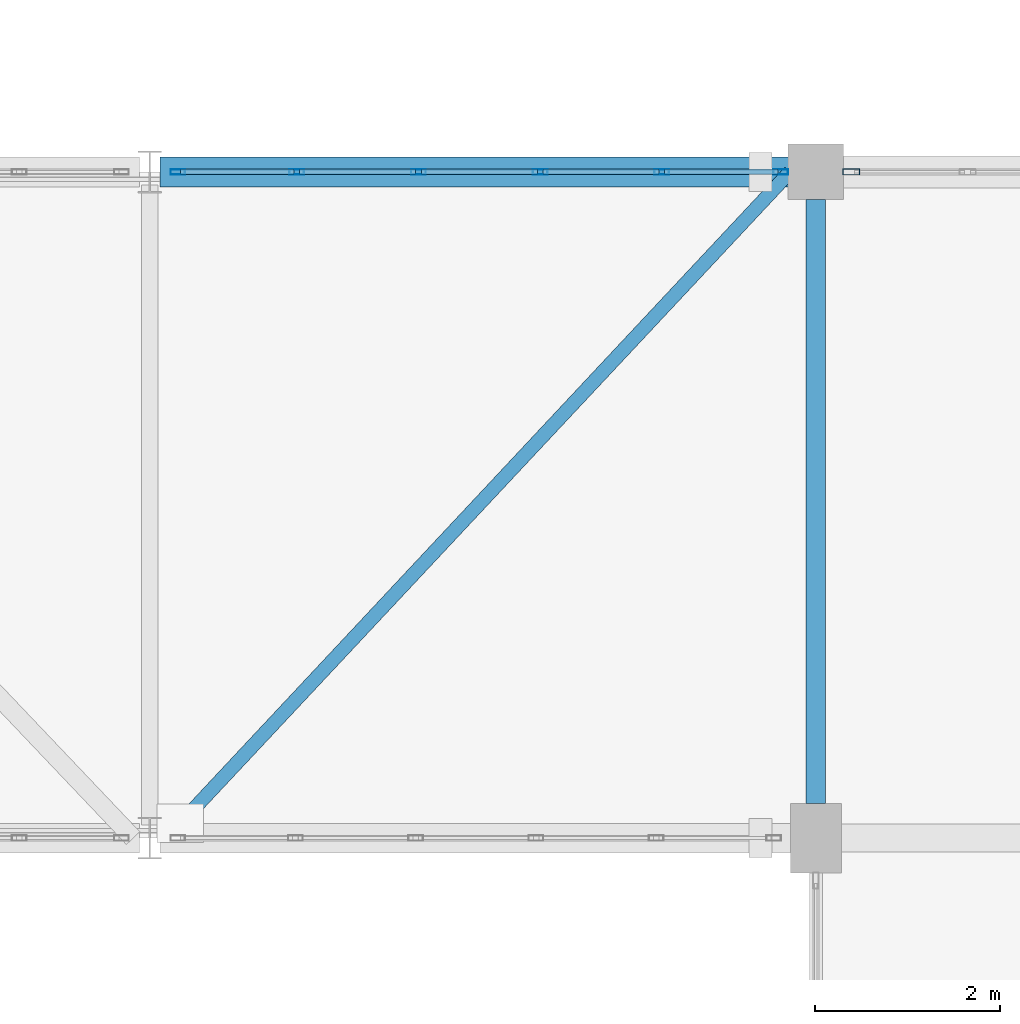
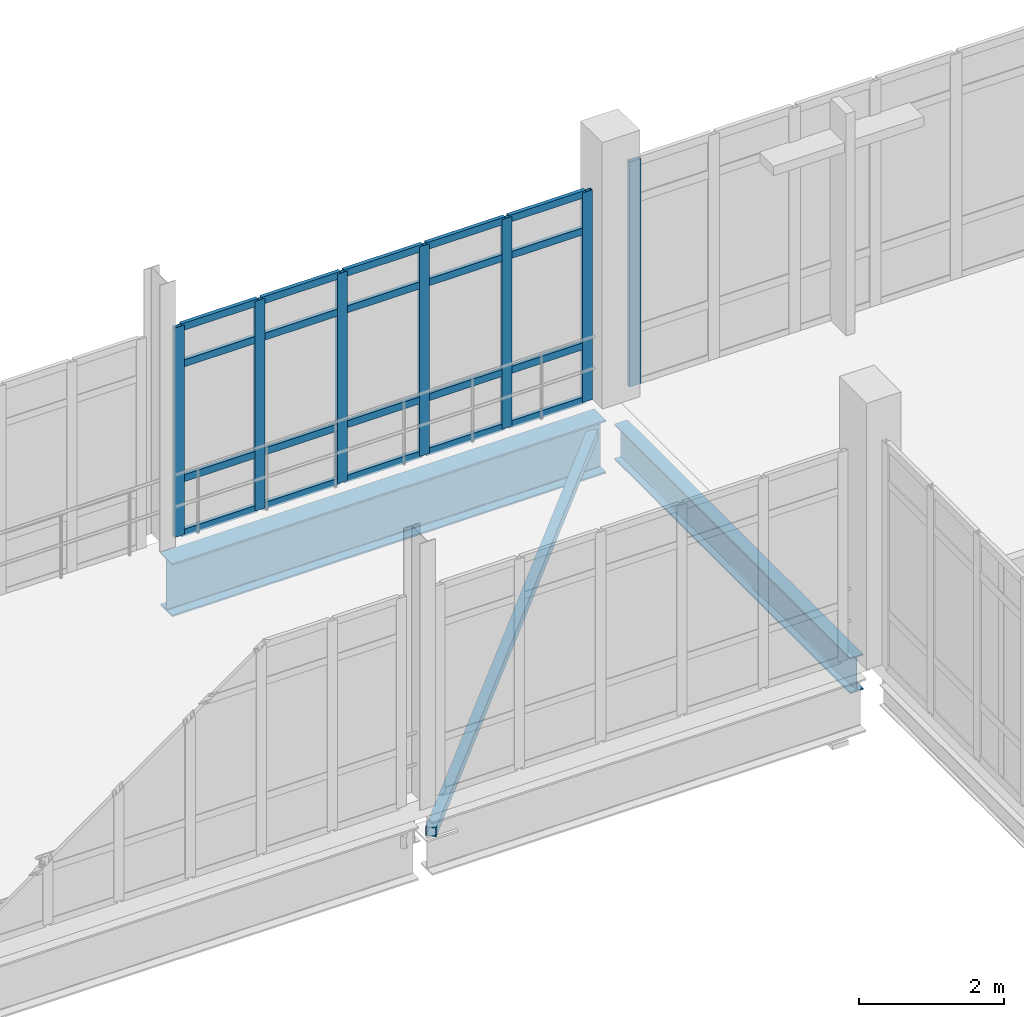
# One storey, part 49 of 124: 28 members, 2 beams, 2 elements without a shape of their own.
"""IFC4 building model written with IfcOpenShell, lengths in metres."""

from ifc_helpers import new_model, si_unit, direction, frame, origin, origin_2d, place, context, subcontext, project, spatial, hollow_rectangle, i_section, extrude, material, material_profile, profile_set, type_object, element, aggregate, save


model = new_model("IFC4")

# Units and contexts
model_context = context("Model", 3, precision=1e-05, world=origin(), true_north=direction((0.0, 1.0)))
body_context = subcontext(model_context, "Body", "Model", "MODEL_VIEW")
ifc_project = project(units=[si_unit("LENGTHUNIT", "METRE"), si_unit("AREAUNIT", "SQUARE_METRE"), si_unit("VOLUMEUNIT", "CUBIC_METRE"), si_unit("PLANEANGLEUNIT", "RADIAN"), si_unit("MASSUNIT", "GRAM", prefix="KILO")], contexts=[model_context])

# Site, building, storey
site_placement = place(None, origin())
site = spatial("IfcSite", under=ifc_project, at=site_placement, CompositionType="ELEMENT")
building_placement = place(site_placement, origin())
building = spatial("IfcBuilding", under=site, at=building_placement, Name="Kalluvel Institute of Natural Sciences", CompositionType="ELEMENT")
storey_placement = place(building_placement, frame((0.0, 0.0, 9.89990234375)))
storey = spatial("IfcBuildingStorey", under=building, at=storey_placement, Name="L02", CompositionType="ELEMENT", Elevation=9.89990234375)

# Beams
ifc_material_1 = material(Name="Steel E350 Grade 350", Category="steel")
ifc_material_profile_1 = material_profile(ifc_material_1, i_section(OverallWidth=0.2099609375, OverallDepth=0.60009765625, WebThickness=0.011962890625, FlangeThickness=0.020751953125, FilletRadius=0.02001953125, at=origin_2d()), Name="ISMB 600")
ifc_profile_set_1 = profile_set([ifc_material_profile_1], Name="Steel E350 Grade 350")
beam_type_1 = type_object("IfcBeamType", Name="BM-ISMB600", PredefinedType="BEAM", material=ifc_profile_set_1)
beam_1_placement = place(storey_placement, frame((100.39990234375, 28.77490234375, -0.619873046875), z_axis=(0.0, 1.0, 0.0), x_axis=(-1.0, 0.0, 0.0)))
element("IfcBeam", 1, at=beam_1_placement, inside=storey, type_object=beam_type_1, Name="L02 girder GIR-L02-NS-X1004-Y284", PredefinedType="BEAM", context=body_context, shape_type="SweptSolid", body=[
    extrude(i_section(OverallWidth=0.2099609375, OverallDepth=0.60009765625, WebThickness=0.011962890625, FlangeThickness=0.020751953125, FilletRadius=0.02001953125, at=origin_2d()), origin(), (0.0, 0.0, 1.0), 6.525146484375),
])
ifc_material_profile_2 = material_profile(ifc_material_1, i_section(OverallWidth=0.320068359375, OverallDepth=0.89990234375, WebThickness=0.01611328125, FlangeThickness=0.028076171875, FilletRadius=0.01806640625, at=origin_2d()), Name="WPG 900x320")
ifc_profile_set_2 = profile_set([ifc_material_profile_2], Name="Steel E350 Grade 350")
beam_type_2 = type_object("IfcBeamType", Name="BM-WPG900", PredefinedType="BEAM", material=ifc_profile_set_2)
beam_2_placement = place(storey_placement, frame((93.31005859375, 35.60009765625, -0.77001953125), z_axis=(1.0, 0.0, 0.0), x_axis=(0.0, 1.0, 0.0)))
element("IfcBeam", 2, at=beam_2_placement, inside=storey, type_object=beam_type_2, Name="L02 link bridge main plate-girder chord 32", PredefinedType="BEAM", context=body_context, shape_type="SweptSolid", body=[
    extrude(i_section(OverallWidth=0.320068359375, OverallDepth=0.89990234375, WebThickness=0.01611328125, FlangeThickness=0.028076171875, FilletRadius=0.01806640625, at=origin_2d()), origin(), (0.0, 0.0, 1.0), 6.929931640625),
])

# Curtain wall, members
ifc_material_2 = material(Name="Aluminium AW-6063 T6", Category="aluminium")
curtain_wall_type_1 = type_object("IfcCurtainWallType", Name="CW-BRG-45", PredefinedType="USERDEFINED", material=ifc_material_2)
curtain_wall_1_placement = place(storey_placement, origin())
curtain_wall_1 = element("IfcCurtainWall", 3, at=curtain_wall_1_placement, inside=storey, type_object=curtain_wall_type_1, Name="L02 Gothic lancet curtain wall CWA-L02-X935-Y356", ObjectType="UNITISED LANCET FACADE", PredefinedType="USERDEFINED")
ifc_material_profile_3 = material_profile(ifc_material_2, hollow_rectangle(XDim=0.06005859375, YDim=0.159912109375, WallThickness=0.00390625, at=origin_2d()), Name="CWM 60x160")
ifc_profile_set_3 = profile_set([ifc_material_profile_3], Name="Aluminium AW-6063 T6")
member_type_1 = type_object("IfcMemberType", Name="CWM-60x160", PredefinedType="MULLION", material=ifc_profile_set_3)
member_1_placement = place(storey_placement, frame((93.5048828125, 35.60009765625, 0.0), z_axis=(0.0, 0.0, 1.0), x_axis=(0.0, 1.0, 0.0)))
member_1 = element("IfcMember", 4, at=member_1_placement, type_object=member_type_1, Name="CW-07 mullion 1", PredefinedType="MULLION", context=body_context, shape_type="SweptSolid", body=[
    extrude(hollow_rectangle(XDim=0.06005859375, YDim=0.159912109375, WallThickness=0.00390625, at=origin_2d()), origin(), (0.0, 0.0, 1.0), 3.5400390625),
])
member_2_placement = place(storey_placement, frame((94.7900390625, 35.60009765625, 0.0), z_axis=(0.0, 0.0, 1.0), x_axis=(0.0, 1.0, 0.0)))
member_2 = element("IfcMember", 5, at=member_2_placement, type_object=member_type_1, Name="CW-07 mullion 2", PredefinedType="MULLION", context=body_context, shape_type="SweptSolid", body=[
    extrude(hollow_rectangle(XDim=0.06005859375, YDim=0.159912109375, WallThickness=0.00390625, at=origin_2d()), origin(), (0.0, 0.0, 1.0), 3.5400390625),
])
member_3_placement = place(storey_placement, frame((96.10498046875, 35.60009765625, 0.0), z_axis=(0.0, 0.0, 1.0), x_axis=(0.0, 1.0, 0.0)))
member_3 = element("IfcMember", 6, at=member_3_placement, type_object=member_type_1, Name="CW-07 mullion 3", PredefinedType="MULLION", context=body_context, shape_type="SweptSolid", body=[
    extrude(hollow_rectangle(XDim=0.06005859375, YDim=0.159912109375, WallThickness=0.00390625, at=origin_2d()), origin(), (0.0, 0.0, 1.0), 3.5400390625),
])
member_4_placement = place(storey_placement, frame((97.419921875, 35.60009765625, 0.0), z_axis=(0.0, 0.0, 1.0), x_axis=(0.0, 1.0, 0.0)))
member_4 = element("IfcMember", 7, at=member_4_placement, type_object=member_type_1, Name="CW-07 mullion 4", PredefinedType="MULLION", context=body_context, shape_type="SweptSolid", body=[
    extrude(hollow_rectangle(XDim=0.06005859375, YDim=0.159912109375, WallThickness=0.00390625, at=origin_2d()), origin(), (0.0, 0.0, 1.0), 3.5400390625),
])
member_5_placement = place(storey_placement, frame((98.735107421875, 35.60009765625, 0.0), z_axis=(0.0, 0.0, 1.0), x_axis=(0.0, 1.0, 0.0)))
member_5 = element("IfcMember", 8, at=member_5_placement, type_object=member_type_1, Name="CW-07 mullion 5", PredefinedType="MULLION", context=body_context, shape_type="SweptSolid", body=[
    extrude(hollow_rectangle(XDim=0.06005859375, YDim=0.159912109375, WallThickness=0.00390625, at=origin_2d()), origin(), (0.0, 0.0, 1.0), 3.5400390625),
])
member_6_placement = place(storey_placement, frame((100.02001953125, 35.60009765625, 0.0), z_axis=(0.0, 0.0, 1.0), x_axis=(0.0, 1.0, 0.0)))
member_6 = element("IfcMember", 9, at=member_6_placement, type_object=member_type_1, Name="CW-07 mullion 6", PredefinedType="MULLION", context=body_context, shape_type="SweptSolid", body=[
    extrude(hollow_rectangle(XDim=0.06005859375, YDim=0.159912109375, WallThickness=0.00390625, at=origin_2d()), origin(), (0.0, 0.0, 1.0), 3.5400390625),
])

# Curtain wall, member
curtain_wall_type_2 = type_object("IfcCurtainWallType", Name="CW-SPAV-45", PredefinedType="USERDEFINED", material=ifc_material_2)
curtain_wall_2_placement = place(storey_placement, origin())
curtain_wall_2 = element("IfcCurtainWall", 10, at=curtain_wall_2_placement, inside=storey, type_object=curtain_wall_type_2, Name="L02 Gothic lancet curtain wall CWA-L02-X1008-Y356", ObjectType="UNITISED LANCET FACADE", PredefinedType="USERDEFINED")
ifc_material_profile_4 = material_profile(ifc_material_2, hollow_rectangle(XDim=0.06494140625, YDim=0.179931640625, WallThickness=0.00439453125, at=origin_2d()), Name="CWM 65x180")
ifc_profile_set_4 = profile_set([ifc_material_profile_4], Name="Aluminium AW-6063 T6")
member_type_2 = type_object("IfcMemberType", Name="CWM-65x180", PredefinedType="MULLION", material=ifc_profile_set_4)
member_7_placement = place(storey_placement, frame((100.782470703125, 35.60009765625, 0.0), z_axis=(0.0, 0.0, 1.0), x_axis=(0.0, 1.0, 0.0)))
member_7 = element("IfcMember", 11, at=member_7_placement, type_object=member_type_2, Name="CW-10 mullion 1", PredefinedType="MULLION", context=body_context, shape_type="SweptSolid", body=[
    extrude(hollow_rectangle(XDim=0.06494140625, YDim=0.179931640625, WallThickness=0.00439453125, at=origin_2d()), origin(), (0.0, 0.0, 1.0), 3.800048828125),
])
aggregate(curtain_wall_2, [member_7])

# Member
ifc_material_profile_5 = material_profile(ifc_material_2, hollow_rectangle(XDim=0.06005859375, YDim=0.1201171875, WallThickness=0.00390625, at=origin_2d()), Name="CWT 60x120")
ifc_profile_set_5 = profile_set([ifc_material_profile_5], Name="Aluminium AW-6063 T6")
member_type_3 = type_object("IfcMemberType", Name="CWT-60x120", PredefinedType="USERDEFINED", material=ifc_profile_set_5)
member_8_placement = place(storey_placement, frame((93.534912109375, 35.60009765625, 0.030029296875), z_axis=(1.0, 0.0, 0.0), x_axis=(0.0, 1.0, 0.0)))
member_8 = element("IfcMember", 12, at=member_8_placement, type_object=member_type_3, Name="CW-07 transom 1.1", ObjectType="TRANSOM", PredefinedType="USERDEFINED", context=body_context, shape_type="SweptSolid", body=[
    extrude(hollow_rectangle(XDim=0.06005859375, YDim=0.1201171875, WallThickness=0.00390625, at=origin_2d()), origin(), (0.0, 0.0, 1.0), 1.22509765625),
])

member_9_placement = place(storey_placement, frame((93.534912109375, 35.60009765625, 0.9501953125), z_axis=(1.0, 0.0, 0.0), x_axis=(0.0, 1.0, 0.0)))
member_9 = element("IfcMember", 13, at=member_9_placement, type_object=member_type_3, Name="CW-07 transom 1.2", ObjectType="TRANSOM", PredefinedType="USERDEFINED", context=body_context, shape_type="SweptSolid", body=[
    extrude(hollow_rectangle(XDim=0.06005859375, YDim=0.1201171875, WallThickness=0.00390625, at=origin_2d()), origin(), (0.0, 0.0, 1.0), 1.22509765625),
])

member_10_placement = place(storey_placement, frame((93.534912109375, 35.60009765625, 2.89013671875), z_axis=(1.0, 0.0, 0.0), x_axis=(0.0, 1.0, 0.0)))
member_10 = element("IfcMember", 14, at=member_10_placement, type_object=member_type_3, Name="CW-07 transom 1.3", ObjectType="TRANSOM", PredefinedType="USERDEFINED", context=body_context, shape_type="SweptSolid", body=[
    extrude(hollow_rectangle(XDim=0.06005859375, YDim=0.1201171875, WallThickness=0.00390625, at=origin_2d()), origin(), (0.0, 0.0, 1.0), 1.22509765625),
])

member_11_placement = place(storey_placement, frame((93.534912109375, 35.60009765625, 3.510009765625), z_axis=(1.0, 0.0, 0.0), x_axis=(0.0, 1.0, 0.0)))
member_11 = element("IfcMember", 15, at=member_11_placement, type_object=member_type_3, Name="CW-07 transom 1.4", ObjectType="TRANSOM", PredefinedType="USERDEFINED", context=body_context, shape_type="SweptSolid", body=[
    extrude(hollow_rectangle(XDim=0.06005859375, YDim=0.1201171875, WallThickness=0.00390625, at=origin_2d()), origin(), (0.0, 0.0, 1.0), 1.22509765625),
])

member_12_placement = place(storey_placement, frame((94.820068359375, 35.60009765625, 0.030029296875), z_axis=(1.0, 0.0, 0.0), x_axis=(0.0, 1.0, 0.0)))
member_12 = element("IfcMember", 16, at=member_12_placement, type_object=member_type_3, Name="CW-07 transom 2.1", ObjectType="TRANSOM", PredefinedType="USERDEFINED", context=body_context, shape_type="SweptSolid", body=[
    extrude(hollow_rectangle(XDim=0.06005859375, YDim=0.1201171875, WallThickness=0.00390625, at=origin_2d()), origin(), (0.0, 0.0, 1.0), 1.2548828125),
])

member_13_placement = place(storey_placement, frame((94.820068359375, 35.60009765625, 0.9501953125), z_axis=(1.0, 0.0, 0.0), x_axis=(0.0, 1.0, 0.0)))
member_13 = element("IfcMember", 17, at=member_13_placement, type_object=member_type_3, Name="CW-07 transom 2.2", ObjectType="TRANSOM", PredefinedType="USERDEFINED", context=body_context, shape_type="SweptSolid", body=[
    extrude(hollow_rectangle(XDim=0.06005859375, YDim=0.1201171875, WallThickness=0.00390625, at=origin_2d()), origin(), (0.0, 0.0, 1.0), 1.2548828125),
])

member_14_placement = place(storey_placement, frame((94.820068359375, 35.60009765625, 2.89013671875), z_axis=(1.0, 0.0, 0.0), x_axis=(0.0, 1.0, 0.0)))
member_14 = element("IfcMember", 18, at=member_14_placement, type_object=member_type_3, Name="CW-07 transom 2.3", ObjectType="TRANSOM", PredefinedType="USERDEFINED", context=body_context, shape_type="SweptSolid", body=[
    extrude(hollow_rectangle(XDim=0.06005859375, YDim=0.1201171875, WallThickness=0.00390625, at=origin_2d()), origin(), (0.0, 0.0, 1.0), 1.2548828125),
])

member_15_placement = place(storey_placement, frame((94.820068359375, 35.60009765625, 3.510009765625), z_axis=(1.0, 0.0, 0.0), x_axis=(0.0, 1.0, 0.0)))
member_15 = element("IfcMember", 19, at=member_15_placement, type_object=member_type_3, Name="CW-07 transom 2.4", ObjectType="TRANSOM", PredefinedType="USERDEFINED", context=body_context, shape_type="SweptSolid", body=[
    extrude(hollow_rectangle(XDim=0.06005859375, YDim=0.1201171875, WallThickness=0.00390625, at=origin_2d()), origin(), (0.0, 0.0, 1.0), 1.2548828125),
])

member_16_placement = place(storey_placement, frame((96.135009765625, 35.60009765625, 0.030029296875), z_axis=(1.0, 0.0, 0.0), x_axis=(0.0, 1.0, 0.0)))
member_16 = element("IfcMember", 20, at=member_16_placement, type_object=member_type_3, Name="CW-07 transom 3.1", ObjectType="TRANSOM", PredefinedType="USERDEFINED", context=body_context, shape_type="SweptSolid", body=[
    extrude(hollow_rectangle(XDim=0.06005859375, YDim=0.1201171875, WallThickness=0.00390625, at=origin_2d()), origin(), (0.0, 0.0, 1.0), 1.2548828125),
])

member_17_placement = place(storey_placement, frame((96.135009765625, 35.60009765625, 0.9501953125), z_axis=(1.0, 0.0, 0.0), x_axis=(0.0, 1.0, 0.0)))
member_17 = element("IfcMember", 21, at=member_17_placement, type_object=member_type_3, Name="CW-07 transom 3.2", ObjectType="TRANSOM", PredefinedType="USERDEFINED", context=body_context, shape_type="SweptSolid", body=[
    extrude(hollow_rectangle(XDim=0.06005859375, YDim=0.1201171875, WallThickness=0.00390625, at=origin_2d()), origin(), (0.0, 0.0, 1.0), 1.2548828125),
])

member_18_placement = place(storey_placement, frame((96.135009765625, 35.60009765625, 2.89013671875), z_axis=(1.0, 0.0, 0.0), x_axis=(0.0, 1.0, 0.0)))
member_18 = element("IfcMember", 22, at=member_18_placement, type_object=member_type_3, Name="CW-07 transom 3.3", ObjectType="TRANSOM", PredefinedType="USERDEFINED", context=body_context, shape_type="SweptSolid", body=[
    extrude(hollow_rectangle(XDim=0.06005859375, YDim=0.1201171875, WallThickness=0.00390625, at=origin_2d()), origin(), (0.0, 0.0, 1.0), 1.2548828125),
])

member_19_placement = place(storey_placement, frame((96.135009765625, 35.60009765625, 3.510009765625), z_axis=(1.0, 0.0, 0.0), x_axis=(0.0, 1.0, 0.0)))
member_19 = element("IfcMember", 23, at=member_19_placement, type_object=member_type_3, Name="CW-07 transom 3.4", ObjectType="TRANSOM", PredefinedType="USERDEFINED", context=body_context, shape_type="SweptSolid", body=[
    extrude(hollow_rectangle(XDim=0.06005859375, YDim=0.1201171875, WallThickness=0.00390625, at=origin_2d()), origin(), (0.0, 0.0, 1.0), 1.2548828125),
])

member_20_placement = place(storey_placement, frame((97.449951171875, 35.60009765625, 0.030029296875), z_axis=(1.0, 0.0, 0.0), x_axis=(0.0, 1.0, 0.0)))
member_20 = element("IfcMember", 24, at=member_20_placement, type_object=member_type_3, Name="CW-07 transom 4.1", ObjectType="TRANSOM", PredefinedType="USERDEFINED", context=body_context, shape_type="SweptSolid", body=[
    extrude(hollow_rectangle(XDim=0.06005859375, YDim=0.1201171875, WallThickness=0.00390625, at=origin_2d()), origin(), (0.0, 0.0, 1.0), 1.255126953125),
])

member_21_placement = place(storey_placement, frame((97.449951171875, 35.60009765625, 0.9501953125), z_axis=(1.0, 0.0, 0.0), x_axis=(0.0, 1.0, 0.0)))
member_21 = element("IfcMember", 25, at=member_21_placement, type_object=member_type_3, Name="CW-07 transom 4.2", ObjectType="TRANSOM", PredefinedType="USERDEFINED", context=body_context, shape_type="SweptSolid", body=[
    extrude(hollow_rectangle(XDim=0.06005859375, YDim=0.1201171875, WallThickness=0.00390625, at=origin_2d()), origin(), (0.0, 0.0, 1.0), 1.255126953125),
])

member_22_placement = place(storey_placement, frame((97.449951171875, 35.60009765625, 2.89013671875), z_axis=(1.0, 0.0, 0.0), x_axis=(0.0, 1.0, 0.0)))
member_22 = element("IfcMember", 26, at=member_22_placement, type_object=member_type_3, Name="CW-07 transom 4.3", ObjectType="TRANSOM", PredefinedType="USERDEFINED", context=body_context, shape_type="SweptSolid", body=[
    extrude(hollow_rectangle(XDim=0.06005859375, YDim=0.1201171875, WallThickness=0.00390625, at=origin_2d()), origin(), (0.0, 0.0, 1.0), 1.255126953125),
])

member_23_placement = place(storey_placement, frame((97.449951171875, 35.60009765625, 3.510009765625), z_axis=(1.0, 0.0, 0.0), x_axis=(0.0, 1.0, 0.0)))
member_23 = element("IfcMember", 27, at=member_23_placement, type_object=member_type_3, Name="CW-07 transom 4.4", ObjectType="TRANSOM", PredefinedType="USERDEFINED", context=body_context, shape_type="SweptSolid", body=[
    extrude(hollow_rectangle(XDim=0.06005859375, YDim=0.1201171875, WallThickness=0.00390625, at=origin_2d()), origin(), (0.0, 0.0, 1.0), 1.255126953125),
])

member_24_placement = place(storey_placement, frame((98.764892578125, 35.60009765625, 0.030029296875), z_axis=(1.0, 0.0, 0.0), x_axis=(0.0, 1.0, 0.0)))
member_24 = element("IfcMember", 28, at=member_24_placement, type_object=member_type_3, Name="CW-07 transom 5.1", ObjectType="TRANSOM", PredefinedType="USERDEFINED", context=body_context, shape_type="SweptSolid", body=[
    extrude(hollow_rectangle(XDim=0.06005859375, YDim=0.1201171875, WallThickness=0.00390625, at=origin_2d()), origin(), (0.0, 0.0, 1.0), 1.22509765625),
])

member_25_placement = place(storey_placement, frame((98.764892578125, 35.60009765625, 0.9501953125), z_axis=(1.0, 0.0, 0.0), x_axis=(0.0, 1.0, 0.0)))
member_25 = element("IfcMember", 29, at=member_25_placement, type_object=member_type_3, Name="CW-07 transom 5.2", ObjectType="TRANSOM", PredefinedType="USERDEFINED", context=body_context, shape_type="SweptSolid", body=[
    extrude(hollow_rectangle(XDim=0.06005859375, YDim=0.1201171875, WallThickness=0.00390625, at=origin_2d()), origin(), (0.0, 0.0, 1.0), 1.22509765625),
])

member_26_placement = place(storey_placement, frame((98.764892578125, 35.60009765625, 2.89013671875), z_axis=(1.0, 0.0, 0.0), x_axis=(0.0, 1.0, 0.0)))
member_26 = element("IfcMember", 30, at=member_26_placement, type_object=member_type_3, Name="CW-07 transom 5.3", ObjectType="TRANSOM", PredefinedType="USERDEFINED", context=body_context, shape_type="SweptSolid", body=[
    extrude(hollow_rectangle(XDim=0.06005859375, YDim=0.1201171875, WallThickness=0.00390625, at=origin_2d()), origin(), (0.0, 0.0, 1.0), 1.22509765625),
])

member_27_placement = place(storey_placement, frame((98.764892578125, 35.60009765625, 3.510009765625), z_axis=(1.0, 0.0, 0.0), x_axis=(0.0, 1.0, 0.0)))
member_27 = element("IfcMember", 31, at=member_27_placement, type_object=member_type_3, Name="CW-07 transom 5.4", ObjectType="TRANSOM", PredefinedType="USERDEFINED", context=body_context, shape_type="SweptSolid", body=[
    extrude(hollow_rectangle(XDim=0.06005859375, YDim=0.1201171875, WallThickness=0.00390625, at=origin_2d()), origin(), (0.0, 0.0, 1.0), 1.22509765625),
])

aggregate(curtain_wall_1, [member_1, member_2, member_3, member_4, member_5, member_6, member_8, member_9, member_10, member_11, member_12, member_13, member_14, member_15, member_16, member_17, member_18, member_19, member_20, member_21, member_22, member_23, member_24, member_25, member_26, member_27])

ifc_material_profile_6 = material_profile(ifc_material_1, hollow_rectangle(XDim=0.14990234375, YDim=0.14990234375, WallThickness=0.008056640625, at=origin_2d()), Name="SHS 150x150x8")
ifc_profile_set_6 = profile_set([ifc_material_profile_6], Name="Steel E350 Grade 350")
member_type_4 = type_object("IfcMemberType", Name="MB-BR-SHS150", PredefinedType="BRACE", material=ifc_profile_set_6)
member_28_placement = place(storey_placement, frame((93.3798828125, 28.39990234375, -0.599853515625), z_axis=(0.683404078651, 0.730040317574, 0.0), x_axis=(-0.730040317574, 0.683404078651, 0.0)))
element("IfcMember", 32, at=member_28_placement, inside=storey, type_object=member_type_4, Name="L02 link bridge horizontal plan brace L02-09-1", PredefinedType="BRACE", context=body_context, shape_type="SweptSolid", body=[
    extrude(hollow_rectangle(XDim=0.14990234375, YDim=0.14990234375, WallThickness=0.008056640625, at=origin_2d()), origin(), (0.0, 0.0, 1.0), 9.86279296875),
])

save(model, "model.ifc")
